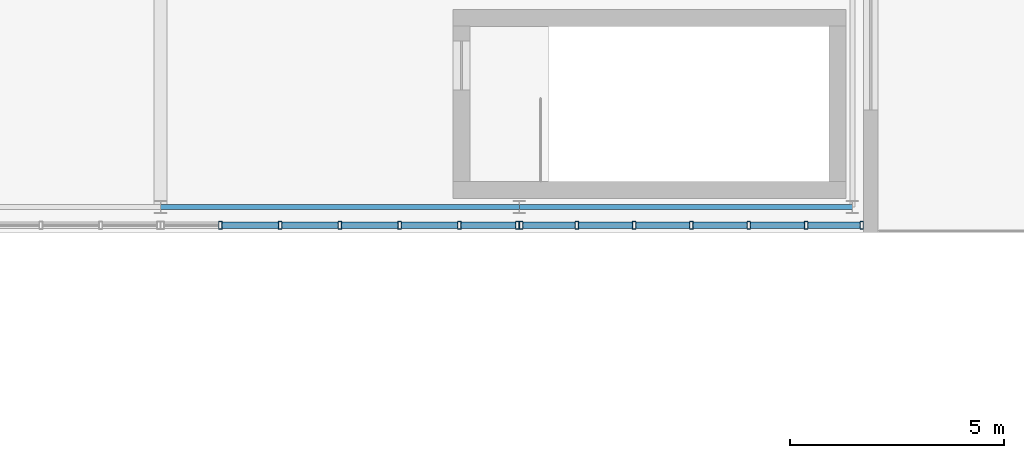
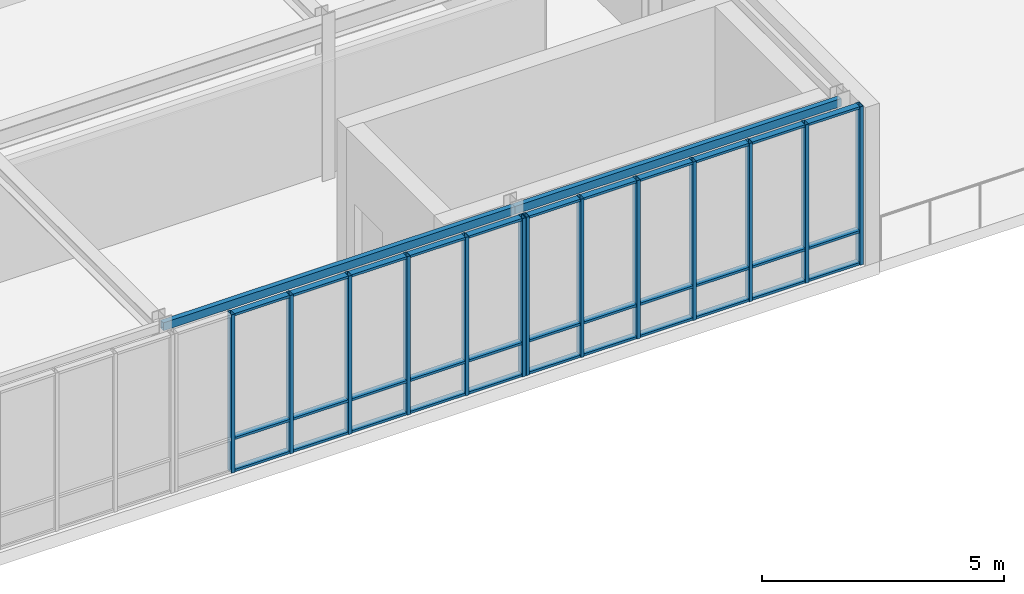
# One storey, part 82 of 127: 46 members, 2 beams, 2 elements without a shape of their own.
"""IFC4 building model written with IfcOpenShell, lengths in metres."""

from ifc_helpers import new_model, si_unit, direction, frame, origin, origin_2d, place, context, subcontext, project, spatial, hollow_rectangle, extrude, material, layer, layer_set, material_profile, profile_set, type_object, element, aggregate, save


model = new_model("IFC4")

# Units and contexts
model_context = context("Model", 3, precision=1e-05, world=origin(), true_north=direction((0.0, 1.0)))
body_context = subcontext(model_context, "Body", "Model", "MODEL_VIEW")
ifc_project = project(units=[si_unit("LENGTHUNIT", "METRE"), si_unit("AREAUNIT", "SQUARE_METRE"), si_unit("VOLUMEUNIT", "CUBIC_METRE"), si_unit("PLANEANGLEUNIT", "RADIAN"), si_unit("MASSUNIT", "GRAM", prefix="KILO")], contexts=[model_context])

# Site, building, storey
site_placement = place(None, origin())
site = spatial("IfcSite", under=ifc_project, at=site_placement, CompositionType="ELEMENT")
building_placement = place(site_placement, origin())
building = spatial("IfcBuilding", under=site, at=building_placement, Name="Zayran Congress Hotel", CompositionType="ELEMENT")
storey_placement = place(building_placement, frame((0.0, 0.0, 10.800048828125)))
storey = spatial("IfcBuildingStorey", under=building, at=storey_placement, Name="L02", CompositionType="ELEMENT", Elevation=10.800048828125)

# Beams
ifc_material_1 = material(Name="Steel S355", Category="steel")
ifc_material_profile_1 = material_profile(ifc_material_1, hollow_rectangle(XDim=0.1201171875, YDim=0.199951171875, WallThickness=0.008056640625, at=origin_2d()), Name="RHS 200x120x8")
ifc_profile_set_1 = profile_set([ifc_material_profile_1], Name="Steel S355")
beam_type = type_object("IfcBeamType", Name="TP-SP-02", PredefinedType="SPANDREL", material=ifc_profile_set_1)
beam_1_placement = place(storey_placement, frame((168.0, 85.0, 3.89990234375), z_axis=(1.0, 0.0, 0.0), x_axis=(0.0, 1.0, 0.0)))
element("IfcBeam", 1, at=beam_1_placement, inside=storey, type_object=beam_type, Name="BM-V2-L02-1012", PredefinedType="SPANDREL", context=body_context, shape_type="SweptSolid", body=[
    extrude(hollow_rectangle(XDim=0.1201171875, YDim=0.199951171875, WallThickness=0.008056640625, at=origin_2d()), origin(), (0.0, 0.0, 1.0), 8.39990234375),
])
beam_2_placement = place(storey_placement, frame((176.39990234375, 85.0, 3.89990234375), z_axis=(1.0, 0.0, 0.0), x_axis=(0.0, 1.0, 0.0)))
element("IfcBeam", 2, at=beam_2_placement, inside=storey, type_object=beam_type, Name="BM-V2-L02-1013", PredefinedType="SPANDREL", context=body_context, shape_type="SweptSolid", body=[
    extrude(hollow_rectangle(XDim=0.1201171875, YDim=0.199951171875, WallThickness=0.008056640625, at=origin_2d()), origin(), (0.0, 0.0, 1.0), 7.800048828125),
])

# Curtain wall, members
ifc_material_2 = material(Name="Anodised aluminium and low-E insulated glass", Category="aluminium")
ifc_layer_1 = layer(ifc_material_2, 0.179931640625)
ifc_layer_set_1 = layer_set([ifc_layer_1], Name="Anodised aluminium and low-E insulated glass")
curtain_wall_type_1 = type_object("IfcCurtainWallType", Name="CW-V2S-L02-CW-V22-8390-4000", PredefinedType="USERDEFINED", material=ifc_layer_set_1)
curtain_wall_1_placement = place(storey_placement, origin())
curtain_wall_1 = element("IfcCurtainWall", 3, at=curtain_wall_1_placement, inside=storey, type_object=curtain_wall_type_1, Name="CW-V2S-L02-3", ObjectType="CURTAIN WALL", PredefinedType="USERDEFINED")
ifc_material_3 = material(Name="Anodised aluminium framing", Category="aluminium")
ifc_material_profile_2 = material_profile(ifc_material_3, hollow_rectangle(XDim=0.080078125, YDim=0.179931640625, WallThickness=0.0048828125, at=origin_2d()), Name="RHS 180x80x5")
ifc_profile_set_2 = profile_set([ifc_material_profile_2], Name="Anodised aluminium framing")
member_type_1 = type_object("IfcMemberType", Name="TP-CWM-01", PredefinedType="MULLION", material=ifc_profile_set_2)
member_1_placement = place(storey_placement, frame((169.4033203125, 84.570068359375, 0.0), z_axis=(0.0, 0.0, 1.0), x_axis=(1.0, 0.0, 0.0)))
member_1 = element("IfcMember", 4, at=member_1_placement, type_object=member_type_1, Name="CW-V2S-L02-3-M01", PredefinedType="MULLION", context=body_context, shape_type="SweptSolid", body=[
    extrude(hollow_rectangle(XDim=0.080078125, YDim=0.179931640625, WallThickness=0.0048828125, at=origin_2d()), origin(), (0.0, 0.0, 1.0), 4.0),
])
member_2_placement = place(storey_placement, frame((170.8017578125, 84.570068359375, 0.0), z_axis=(0.0, 0.0, 1.0), x_axis=(1.0, 0.0, 0.0)))
member_2 = element("IfcMember", 5, at=member_2_placement, type_object=member_type_1, Name="CW-V2S-L02-3-M02", PredefinedType="MULLION", context=body_context, shape_type="SweptSolid", body=[
    extrude(hollow_rectangle(XDim=0.080078125, YDim=0.179931640625, WallThickness=0.0048828125, at=origin_2d()), origin(), (0.0, 0.0, 1.0), 4.0),
])
member_3_placement = place(storey_placement, frame((172.199951171875, 84.570068359375, 0.0), z_axis=(0.0, 0.0, 1.0), x_axis=(1.0, 0.0, 0.0)))
member_3 = element("IfcMember", 6, at=member_3_placement, type_object=member_type_1, Name="CW-V2S-L02-3-M03", PredefinedType="MULLION", context=body_context, shape_type="SweptSolid", body=[
    extrude(hollow_rectangle(XDim=0.080078125, YDim=0.179931640625, WallThickness=0.0048828125, at=origin_2d()), origin(), (0.0, 0.0, 1.0), 4.0),
])
member_4_placement = place(storey_placement, frame((173.598388671875, 84.570068359375, 0.0), z_axis=(0.0, 0.0, 1.0), x_axis=(1.0, 0.0, 0.0)))
member_4 = element("IfcMember", 7, at=member_4_placement, type_object=member_type_1, Name="CW-V2S-L02-3-M04", PredefinedType="MULLION", context=body_context, shape_type="SweptSolid", body=[
    extrude(hollow_rectangle(XDim=0.080078125, YDim=0.179931640625, WallThickness=0.0048828125, at=origin_2d()), origin(), (0.0, 0.0, 1.0), 4.0),
])
member_5_placement = place(storey_placement, frame((174.99658203125, 84.570068359375, 0.0), z_axis=(0.0, 0.0, 1.0), x_axis=(1.0, 0.0, 0.0)))
member_5 = element("IfcMember", 8, at=member_5_placement, type_object=member_type_1, Name="CW-V2S-L02-3-M05", PredefinedType="MULLION", context=body_context, shape_type="SweptSolid", body=[
    extrude(hollow_rectangle(XDim=0.080078125, YDim=0.179931640625, WallThickness=0.0048828125, at=origin_2d()), origin(), (0.0, 0.0, 1.0), 4.0),
])
member_6_placement = place(storey_placement, frame((176.35498046875, 84.570068359375, 0.0), z_axis=(0.0, 0.0, 1.0), x_axis=(1.0, 0.0, 0.0)))
member_6 = element("IfcMember", 9, at=member_6_placement, type_object=member_type_1, Name="CW-V2S-L02-3-M06", PredefinedType="MULLION", context=body_context, shape_type="SweptSolid", body=[
    extrude(hollow_rectangle(XDim=0.080078125, YDim=0.179931640625, WallThickness=0.0048828125, at=origin_2d()), origin(), (0.0, 0.0, 1.0), 4.0),
])

ifc_layer_2 = layer(ifc_material_2, 0.179931640625)
ifc_layer_set_2 = layer_set([ifc_layer_2], Name="Anodised aluminium and low-E insulated glass")
curtain_wall_type_2 = type_object("IfcCurtainWallType", Name="CW-V2S-L02-CW-V21-8055-4000", PredefinedType="USERDEFINED", material=ifc_layer_set_2)
curtain_wall_2_placement = place(storey_placement, origin())
curtain_wall_2 = element("IfcCurtainWall", 10, at=curtain_wall_2_placement, inside=storey, type_object=curtain_wall_type_2, Name="CW-V2S-L02-4", ObjectType="CURTAIN WALL", PredefinedType="USERDEFINED")
member_7_placement = place(storey_placement, frame((176.445068359375, 84.570068359375, 0.0), z_axis=(0.0, 0.0, 1.0), x_axis=(1.0, 0.0, 0.0)))
member_7 = element("IfcMember", 11, at=member_7_placement, type_object=member_type_1, Name="CW-V2S-L02-4-M00", PredefinedType="MULLION", context=body_context, shape_type="SweptSolid", body=[
    extrude(hollow_rectangle(XDim=0.080078125, YDim=0.179931640625, WallThickness=0.0048828125, at=origin_2d()), origin(), (0.0, 0.0, 1.0), 4.0),
])
member_8_placement = place(storey_placement, frame((177.74755859375, 84.570068359375, 0.0), z_axis=(0.0, 0.0, 1.0), x_axis=(1.0, 0.0, 0.0)))
member_8 = element("IfcMember", 12, at=member_8_placement, type_object=member_type_1, Name="CW-V2S-L02-4-M01", PredefinedType="MULLION", context=body_context, shape_type="SweptSolid", body=[
    extrude(hollow_rectangle(XDim=0.080078125, YDim=0.179931640625, WallThickness=0.0048828125, at=origin_2d()), origin(), (0.0, 0.0, 1.0), 4.0),
])
member_9_placement = place(storey_placement, frame((179.090087890625, 84.570068359375, 0.0), z_axis=(0.0, 0.0, 1.0), x_axis=(1.0, 0.0, 0.0)))
member_9 = element("IfcMember", 13, at=member_9_placement, type_object=member_type_1, Name="CW-V2S-L02-4-M02", PredefinedType="MULLION", context=body_context, shape_type="SweptSolid", body=[
    extrude(hollow_rectangle(XDim=0.080078125, YDim=0.179931640625, WallThickness=0.0048828125, at=origin_2d()), origin(), (0.0, 0.0, 1.0), 4.0),
])
member_10_placement = place(storey_placement, frame((180.4326171875, 84.570068359375, 0.0), z_axis=(0.0, 0.0, 1.0), x_axis=(1.0, 0.0, 0.0)))
member_10 = element("IfcMember", 14, at=member_10_placement, type_object=member_type_1, Name="CW-V2S-L02-4-M03", PredefinedType="MULLION", context=body_context, shape_type="SweptSolid", body=[
    extrude(hollow_rectangle(XDim=0.080078125, YDim=0.179931640625, WallThickness=0.0048828125, at=origin_2d()), origin(), (0.0, 0.0, 1.0), 4.0),
])
member_11_placement = place(storey_placement, frame((181.77490234375, 84.570068359375, 0.0), z_axis=(0.0, 0.0, 1.0), x_axis=(1.0, 0.0, 0.0)))
member_11 = element("IfcMember", 15, at=member_11_placement, type_object=member_type_1, Name="CW-V2S-L02-4-M04", PredefinedType="MULLION", context=body_context, shape_type="SweptSolid", body=[
    extrude(hollow_rectangle(XDim=0.080078125, YDim=0.179931640625, WallThickness=0.0048828125, at=origin_2d()), origin(), (0.0, 0.0, 1.0), 4.0),
])
member_12_placement = place(storey_placement, frame((183.117431640625, 84.570068359375, 0.0), z_axis=(0.0, 0.0, 1.0), x_axis=(1.0, 0.0, 0.0)))
member_12 = element("IfcMember", 16, at=member_12_placement, type_object=member_type_1, Name="CW-V2S-L02-4-M05", PredefinedType="MULLION", context=body_context, shape_type="SweptSolid", body=[
    extrude(hollow_rectangle(XDim=0.080078125, YDim=0.179931640625, WallThickness=0.0048828125, at=origin_2d()), origin(), (0.0, 0.0, 1.0), 4.0),
])
member_13_placement = place(storey_placement, frame((184.419921875, 84.570068359375, 0.0), z_axis=(0.0, 0.0, 1.0), x_axis=(1.0, 0.0, 0.0)))
member_13 = element("IfcMember", 17, at=member_13_placement, type_object=member_type_1, Name="CW-V2S-L02-4-M06", PredefinedType="MULLION", context=body_context, shape_type="SweptSolid", body=[
    extrude(hollow_rectangle(XDim=0.080078125, YDim=0.179931640625, WallThickness=0.0048828125, at=origin_2d()), origin(), (0.0, 0.0, 1.0), 4.0),
])

# Member
ifc_material_profile_3 = material_profile(ifc_material_3, hollow_rectangle(XDim=0.06005859375, YDim=0.14990234375, WallThickness=0.00390625, at=origin_2d()), Name="RHS 150x60x4")
ifc_profile_set_3 = profile_set([ifc_material_profile_3], Name="Anodised aluminium framing")
member_type_2 = type_object("IfcMemberType", Name="TP-CWT-01", PredefinedType="USERDEFINED", material=ifc_profile_set_3)
member_14_placement = place(storey_placement, frame((169.443359375, 84.570068359375, 0.030029296875), z_axis=(1.0, 0.0, 0.0), x_axis=(0.0, 0.0, 1.0)))
member_14 = element("IfcMember", 18, at=member_14_placement, type_object=member_type_2, Name="CW-V2S-L02-3-T01-0", ObjectType="TRANSOM", PredefinedType="USERDEFINED", context=body_context, shape_type="SweptSolid", body=[
    extrude(hollow_rectangle(XDim=0.06005859375, YDim=0.14990234375, WallThickness=0.00390625, at=origin_2d()), origin(), (0.0, 0.0, 1.0), 1.318359375),
])

member_15_placement = place(storey_placement, frame((169.443359375, 84.570068359375, 0.83984375), z_axis=(1.0, 0.0, 0.0), x_axis=(0.0, 0.0, 1.0)))
member_15 = element("IfcMember", 19, at=member_15_placement, type_object=member_type_2, Name="CW-V2S-L02-3-T01-1", ObjectType="TRANSOM", PredefinedType="USERDEFINED", context=body_context, shape_type="SweptSolid", body=[
    extrude(hollow_rectangle(XDim=0.06005859375, YDim=0.14990234375, WallThickness=0.00390625, at=origin_2d()), origin(), (0.0, 0.0, 1.0), 1.318359375),
])

member_16_placement = place(storey_placement, frame((169.443359375, 84.570068359375, 3.969970703125), z_axis=(1.0, 0.0, 0.0), x_axis=(0.0, 0.0, 1.0)))
member_16 = element("IfcMember", 20, at=member_16_placement, type_object=member_type_2, Name="CW-V2S-L02-3-T01-2", ObjectType="TRANSOM", PredefinedType="USERDEFINED", context=body_context, shape_type="SweptSolid", body=[
    extrude(hollow_rectangle(XDim=0.06005859375, YDim=0.14990234375, WallThickness=0.00390625, at=origin_2d()), origin(), (0.0, 0.0, 1.0), 1.318359375),
])

member_17_placement = place(storey_placement, frame((170.841796875, 84.570068359375, 0.030029296875), z_axis=(1.0, 0.0, 0.0), x_axis=(0.0, 0.0, 1.0)))
member_17 = element("IfcMember", 21, at=member_17_placement, type_object=member_type_2, Name="CW-V2S-L02-3-T02-0", ObjectType="TRANSOM", PredefinedType="USERDEFINED", context=body_context, shape_type="SweptSolid", body=[
    extrude(hollow_rectangle(XDim=0.06005859375, YDim=0.14990234375, WallThickness=0.00390625, at=origin_2d()), origin(), (0.0, 0.0, 1.0), 1.318115234375),
])

member_18_placement = place(storey_placement, frame((170.841796875, 84.570068359375, 0.83984375), z_axis=(1.0, 0.0, 0.0), x_axis=(0.0, 0.0, 1.0)))
member_18 = element("IfcMember", 22, at=member_18_placement, type_object=member_type_2, Name="CW-V2S-L02-3-T02-1", ObjectType="TRANSOM", PredefinedType="USERDEFINED", context=body_context, shape_type="SweptSolid", body=[
    extrude(hollow_rectangle(XDim=0.06005859375, YDim=0.14990234375, WallThickness=0.00390625, at=origin_2d()), origin(), (0.0, 0.0, 1.0), 1.318115234375),
])

member_19_placement = place(storey_placement, frame((170.841796875, 84.570068359375, 3.969970703125), z_axis=(1.0, 0.0, 0.0), x_axis=(0.0, 0.0, 1.0)))
member_19 = element("IfcMember", 23, at=member_19_placement, type_object=member_type_2, Name="CW-V2S-L02-3-T02-2", ObjectType="TRANSOM", PredefinedType="USERDEFINED", context=body_context, shape_type="SweptSolid", body=[
    extrude(hollow_rectangle(XDim=0.06005859375, YDim=0.14990234375, WallThickness=0.00390625, at=origin_2d()), origin(), (0.0, 0.0, 1.0), 1.318115234375),
])

member_20_placement = place(storey_placement, frame((172.239990234375, 84.570068359375, 0.030029296875), z_axis=(1.0, 0.0, 0.0), x_axis=(0.0, 0.0, 1.0)))
member_20 = element("IfcMember", 24, at=member_20_placement, type_object=member_type_2, Name="CW-V2S-L02-3-T03-0", ObjectType="TRANSOM", PredefinedType="USERDEFINED", context=body_context, shape_type="SweptSolid", body=[
    extrude(hollow_rectangle(XDim=0.06005859375, YDim=0.14990234375, WallThickness=0.00390625, at=origin_2d()), origin(), (0.0, 0.0, 1.0), 1.318359375),
])

member_21_placement = place(storey_placement, frame((172.239990234375, 84.570068359375, 0.83984375), z_axis=(1.0, 0.0, 0.0), x_axis=(0.0, 0.0, 1.0)))
member_21 = element("IfcMember", 25, at=member_21_placement, type_object=member_type_2, Name="CW-V2S-L02-3-T03-1", ObjectType="TRANSOM", PredefinedType="USERDEFINED", context=body_context, shape_type="SweptSolid", body=[
    extrude(hollow_rectangle(XDim=0.06005859375, YDim=0.14990234375, WallThickness=0.00390625, at=origin_2d()), origin(), (0.0, 0.0, 1.0), 1.318359375),
])

member_22_placement = place(storey_placement, frame((172.239990234375, 84.570068359375, 3.969970703125), z_axis=(1.0, 0.0, 0.0), x_axis=(0.0, 0.0, 1.0)))
member_22 = element("IfcMember", 26, at=member_22_placement, type_object=member_type_2, Name="CW-V2S-L02-3-T03-2", ObjectType="TRANSOM", PredefinedType="USERDEFINED", context=body_context, shape_type="SweptSolid", body=[
    extrude(hollow_rectangle(XDim=0.06005859375, YDim=0.14990234375, WallThickness=0.00390625, at=origin_2d()), origin(), (0.0, 0.0, 1.0), 1.318359375),
])

member_23_placement = place(storey_placement, frame((173.63818359375, 84.570068359375, 0.030029296875), z_axis=(1.0, 0.0, 0.0), x_axis=(0.0, 0.0, 1.0)))
member_23 = element("IfcMember", 27, at=member_23_placement, type_object=member_type_2, Name="CW-V2S-L02-3-T04-0", ObjectType="TRANSOM", PredefinedType="USERDEFINED", context=body_context, shape_type="SweptSolid", body=[
    extrude(hollow_rectangle(XDim=0.06005859375, YDim=0.14990234375, WallThickness=0.00390625, at=origin_2d()), origin(), (0.0, 0.0, 1.0), 1.318603515625),
])

member_24_placement = place(storey_placement, frame((173.63818359375, 84.570068359375, 0.83984375), z_axis=(1.0, 0.0, 0.0), x_axis=(0.0, 0.0, 1.0)))
member_24 = element("IfcMember", 28, at=member_24_placement, type_object=member_type_2, Name="CW-V2S-L02-3-T04-1", ObjectType="TRANSOM", PredefinedType="USERDEFINED", context=body_context, shape_type="SweptSolid", body=[
    extrude(hollow_rectangle(XDim=0.06005859375, YDim=0.14990234375, WallThickness=0.00390625, at=origin_2d()), origin(), (0.0, 0.0, 1.0), 1.318603515625),
])

member_25_placement = place(storey_placement, frame((173.63818359375, 84.570068359375, 3.969970703125), z_axis=(1.0, 0.0, 0.0), x_axis=(0.0, 0.0, 1.0)))
member_25 = element("IfcMember", 29, at=member_25_placement, type_object=member_type_2, Name="CW-V2S-L02-3-T04-2", ObjectType="TRANSOM", PredefinedType="USERDEFINED", context=body_context, shape_type="SweptSolid", body=[
    extrude(hollow_rectangle(XDim=0.06005859375, YDim=0.14990234375, WallThickness=0.00390625, at=origin_2d()), origin(), (0.0, 0.0, 1.0), 1.318603515625),
])

member_26_placement = place(storey_placement, frame((175.03662109375, 84.570068359375, 0.030029296875), z_axis=(1.0, 0.0, 0.0), x_axis=(0.0, 0.0, 1.0)))
member_26 = element("IfcMember", 30, at=member_26_placement, type_object=member_type_2, Name="CW-V2S-L02-3-T05-0", ObjectType="TRANSOM", PredefinedType="USERDEFINED", context=body_context, shape_type="SweptSolid", body=[
    extrude(hollow_rectangle(XDim=0.06005859375, YDim=0.14990234375, WallThickness=0.00390625, at=origin_2d()), origin(), (0.0, 0.0, 1.0), 1.2783203125),
])

member_27_placement = place(storey_placement, frame((175.03662109375, 84.570068359375, 0.83984375), z_axis=(1.0, 0.0, 0.0), x_axis=(0.0, 0.0, 1.0)))
member_27 = element("IfcMember", 31, at=member_27_placement, type_object=member_type_2, Name="CW-V2S-L02-3-T05-1", ObjectType="TRANSOM", PredefinedType="USERDEFINED", context=body_context, shape_type="SweptSolid", body=[
    extrude(hollow_rectangle(XDim=0.06005859375, YDim=0.14990234375, WallThickness=0.00390625, at=origin_2d()), origin(), (0.0, 0.0, 1.0), 1.2783203125),
])

member_28_placement = place(storey_placement, frame((175.03662109375, 84.570068359375, 3.969970703125), z_axis=(1.0, 0.0, 0.0), x_axis=(0.0, 0.0, 1.0)))
member_28 = element("IfcMember", 32, at=member_28_placement, type_object=member_type_2, Name="CW-V2S-L02-3-T05-2", ObjectType="TRANSOM", PredefinedType="USERDEFINED", context=body_context, shape_type="SweptSolid", body=[
    extrude(hollow_rectangle(XDim=0.06005859375, YDim=0.14990234375, WallThickness=0.00390625, at=origin_2d()), origin(), (0.0, 0.0, 1.0), 1.2783203125),
])

aggregate(curtain_wall_1, [member_1, member_2, member_3, member_4, member_5, member_6, member_14, member_15, member_16, member_17, member_18, member_19, member_20, member_21, member_22, member_23, member_24, member_25, member_26, member_27, member_28])

member_29_placement = place(storey_placement, frame((176.485107421875, 84.570068359375, 0.030029296875), z_axis=(1.0, 0.0, 0.0), x_axis=(0.0, 0.0, 1.0)))
member_29 = element("IfcMember", 33, at=member_29_placement, type_object=member_type_2, Name="CW-V2S-L02-4-T00-0", ObjectType="TRANSOM", PredefinedType="USERDEFINED", context=body_context, shape_type="SweptSolid", body=[
    extrude(hollow_rectangle(XDim=0.06005859375, YDim=0.14990234375, WallThickness=0.00390625, at=origin_2d()), origin(), (0.0, 0.0, 1.0), 1.222412109375),
])

member_30_placement = place(storey_placement, frame((176.485107421875, 84.570068359375, 0.83984375), z_axis=(1.0, 0.0, 0.0), x_axis=(0.0, 0.0, 1.0)))
member_30 = element("IfcMember", 34, at=member_30_placement, type_object=member_type_2, Name="CW-V2S-L02-4-T00-1", ObjectType="TRANSOM", PredefinedType="USERDEFINED", context=body_context, shape_type="SweptSolid", body=[
    extrude(hollow_rectangle(XDim=0.06005859375, YDim=0.14990234375, WallThickness=0.00390625, at=origin_2d()), origin(), (0.0, 0.0, 1.0), 1.222412109375),
])

member_31_placement = place(storey_placement, frame((176.485107421875, 84.570068359375, 3.969970703125), z_axis=(1.0, 0.0, 0.0), x_axis=(0.0, 0.0, 1.0)))
member_31 = element("IfcMember", 35, at=member_31_placement, type_object=member_type_2, Name="CW-V2S-L02-4-T00-2", ObjectType="TRANSOM", PredefinedType="USERDEFINED", context=body_context, shape_type="SweptSolid", body=[
    extrude(hollow_rectangle(XDim=0.06005859375, YDim=0.14990234375, WallThickness=0.00390625, at=origin_2d()), origin(), (0.0, 0.0, 1.0), 1.222412109375),
])

member_32_placement = place(storey_placement, frame((177.78759765625, 84.570068359375, 0.030029296875), z_axis=(1.0, 0.0, 0.0), x_axis=(0.0, 0.0, 1.0)))
member_32 = element("IfcMember", 36, at=member_32_placement, type_object=member_type_2, Name="CW-V2S-L02-4-T01-0", ObjectType="TRANSOM", PredefinedType="USERDEFINED", context=body_context, shape_type="SweptSolid", body=[
    extrude(hollow_rectangle(XDim=0.06005859375, YDim=0.14990234375, WallThickness=0.00390625, at=origin_2d()), origin(), (0.0, 0.0, 1.0), 1.262451171875),
])

member_33_placement = place(storey_placement, frame((177.78759765625, 84.570068359375, 0.83984375), z_axis=(1.0, 0.0, 0.0), x_axis=(0.0, 0.0, 1.0)))
member_33 = element("IfcMember", 37, at=member_33_placement, type_object=member_type_2, Name="CW-V2S-L02-4-T01-1", ObjectType="TRANSOM", PredefinedType="USERDEFINED", context=body_context, shape_type="SweptSolid", body=[
    extrude(hollow_rectangle(XDim=0.06005859375, YDim=0.14990234375, WallThickness=0.00390625, at=origin_2d()), origin(), (0.0, 0.0, 1.0), 1.262451171875),
])

member_34_placement = place(storey_placement, frame((177.78759765625, 84.570068359375, 3.969970703125), z_axis=(1.0, 0.0, 0.0), x_axis=(0.0, 0.0, 1.0)))
member_34 = element("IfcMember", 38, at=member_34_placement, type_object=member_type_2, Name="CW-V2S-L02-4-T01-2", ObjectType="TRANSOM", PredefinedType="USERDEFINED", context=body_context, shape_type="SweptSolid", body=[
    extrude(hollow_rectangle(XDim=0.06005859375, YDim=0.14990234375, WallThickness=0.00390625, at=origin_2d()), origin(), (0.0, 0.0, 1.0), 1.262451171875),
])

member_35_placement = place(storey_placement, frame((179.1298828125, 84.570068359375, 0.030029296875), z_axis=(1.0, 0.0, 0.0), x_axis=(0.0, 0.0, 1.0)))
member_35 = element("IfcMember", 39, at=member_35_placement, type_object=member_type_2, Name="CW-V2S-L02-4-T02-0", ObjectType="TRANSOM", PredefinedType="USERDEFINED", context=body_context, shape_type="SweptSolid", body=[
    extrude(hollow_rectangle(XDim=0.06005859375, YDim=0.14990234375, WallThickness=0.00390625, at=origin_2d()), origin(), (0.0, 0.0, 1.0), 1.2626953125),
])

member_36_placement = place(storey_placement, frame((179.1298828125, 84.570068359375, 0.83984375), z_axis=(1.0, 0.0, 0.0), x_axis=(0.0, 0.0, 1.0)))
member_36 = element("IfcMember", 40, at=member_36_placement, type_object=member_type_2, Name="CW-V2S-L02-4-T02-1", ObjectType="TRANSOM", PredefinedType="USERDEFINED", context=body_context, shape_type="SweptSolid", body=[
    extrude(hollow_rectangle(XDim=0.06005859375, YDim=0.14990234375, WallThickness=0.00390625, at=origin_2d()), origin(), (0.0, 0.0, 1.0), 1.2626953125),
])

member_37_placement = place(storey_placement, frame((179.1298828125, 84.570068359375, 3.969970703125), z_axis=(1.0, 0.0, 0.0), x_axis=(0.0, 0.0, 1.0)))
member_37 = element("IfcMember", 41, at=member_37_placement, type_object=member_type_2, Name="CW-V2S-L02-4-T02-2", ObjectType="TRANSOM", PredefinedType="USERDEFINED", context=body_context, shape_type="SweptSolid", body=[
    extrude(hollow_rectangle(XDim=0.06005859375, YDim=0.14990234375, WallThickness=0.00390625, at=origin_2d()), origin(), (0.0, 0.0, 1.0), 1.2626953125),
])

member_38_placement = place(storey_placement, frame((180.472412109375, 84.570068359375, 0.030029296875), z_axis=(1.0, 0.0, 0.0), x_axis=(0.0, 0.0, 1.0)))
member_38 = element("IfcMember", 42, at=member_38_placement, type_object=member_type_2, Name="CW-V2S-L02-4-T03-0", ObjectType="TRANSOM", PredefinedType="USERDEFINED", context=body_context, shape_type="SweptSolid", body=[
    extrude(hollow_rectangle(XDim=0.06005859375, YDim=0.14990234375, WallThickness=0.00390625, at=origin_2d()), origin(), (0.0, 0.0, 1.0), 1.2626953125),
])

member_39_placement = place(storey_placement, frame((180.472412109375, 84.570068359375, 0.83984375), z_axis=(1.0, 0.0, 0.0), x_axis=(0.0, 0.0, 1.0)))
member_39 = element("IfcMember", 43, at=member_39_placement, type_object=member_type_2, Name="CW-V2S-L02-4-T03-1", ObjectType="TRANSOM", PredefinedType="USERDEFINED", context=body_context, shape_type="SweptSolid", body=[
    extrude(hollow_rectangle(XDim=0.06005859375, YDim=0.14990234375, WallThickness=0.00390625, at=origin_2d()), origin(), (0.0, 0.0, 1.0), 1.2626953125),
])

member_40_placement = place(storey_placement, frame((180.472412109375, 84.570068359375, 3.969970703125), z_axis=(1.0, 0.0, 0.0), x_axis=(0.0, 0.0, 1.0)))
member_40 = element("IfcMember", 44, at=member_40_placement, type_object=member_type_2, Name="CW-V2S-L02-4-T03-2", ObjectType="TRANSOM", PredefinedType="USERDEFINED", context=body_context, shape_type="SweptSolid", body=[
    extrude(hollow_rectangle(XDim=0.06005859375, YDim=0.14990234375, WallThickness=0.00390625, at=origin_2d()), origin(), (0.0, 0.0, 1.0), 1.2626953125),
])

member_41_placement = place(storey_placement, frame((181.81494140625, 84.570068359375, 0.030029296875), z_axis=(1.0, 0.0, 0.0), x_axis=(0.0, 0.0, 1.0)))
member_41 = element("IfcMember", 45, at=member_41_placement, type_object=member_type_2, Name="CW-V2S-L02-4-T04-0", ObjectType="TRANSOM", PredefinedType="USERDEFINED", context=body_context, shape_type="SweptSolid", body=[
    extrude(hollow_rectangle(XDim=0.06005859375, YDim=0.14990234375, WallThickness=0.00390625, at=origin_2d()), origin(), (0.0, 0.0, 1.0), 1.262451171875),
])

member_42_placement = place(storey_placement, frame((181.81494140625, 84.570068359375, 0.83984375), z_axis=(1.0, 0.0, 0.0), x_axis=(0.0, 0.0, 1.0)))
member_42 = element("IfcMember", 46, at=member_42_placement, type_object=member_type_2, Name="CW-V2S-L02-4-T04-1", ObjectType="TRANSOM", PredefinedType="USERDEFINED", context=body_context, shape_type="SweptSolid", body=[
    extrude(hollow_rectangle(XDim=0.06005859375, YDim=0.14990234375, WallThickness=0.00390625, at=origin_2d()), origin(), (0.0, 0.0, 1.0), 1.262451171875),
])

member_43_placement = place(storey_placement, frame((181.81494140625, 84.570068359375, 3.969970703125), z_axis=(1.0, 0.0, 0.0), x_axis=(0.0, 0.0, 1.0)))
member_43 = element("IfcMember", 47, at=member_43_placement, type_object=member_type_2, Name="CW-V2S-L02-4-T04-2", ObjectType="TRANSOM", PredefinedType="USERDEFINED", context=body_context, shape_type="SweptSolid", body=[
    extrude(hollow_rectangle(XDim=0.06005859375, YDim=0.14990234375, WallThickness=0.00390625, at=origin_2d()), origin(), (0.0, 0.0, 1.0), 1.262451171875),
])

member_44_placement = place(storey_placement, frame((183.157470703125, 84.570068359375, 0.030029296875), z_axis=(1.0, 0.0, 0.0), x_axis=(0.0, 0.0, 1.0)))
member_44 = element("IfcMember", 48, at=member_44_placement, type_object=member_type_2, Name="CW-V2S-L02-4-T05-0", ObjectType="TRANSOM", PredefinedType="USERDEFINED", context=body_context, shape_type="SweptSolid", body=[
    extrude(hollow_rectangle(XDim=0.06005859375, YDim=0.14990234375, WallThickness=0.00390625, at=origin_2d()), origin(), (0.0, 0.0, 1.0), 1.222412109375),
])

member_45_placement = place(storey_placement, frame((183.157470703125, 84.570068359375, 0.83984375), z_axis=(1.0, 0.0, 0.0), x_axis=(0.0, 0.0, 1.0)))
member_45 = element("IfcMember", 49, at=member_45_placement, type_object=member_type_2, Name="CW-V2S-L02-4-T05-1", ObjectType="TRANSOM", PredefinedType="USERDEFINED", context=body_context, shape_type="SweptSolid", body=[
    extrude(hollow_rectangle(XDim=0.06005859375, YDim=0.14990234375, WallThickness=0.00390625, at=origin_2d()), origin(), (0.0, 0.0, 1.0), 1.222412109375),
])

member_46_placement = place(storey_placement, frame((183.157470703125, 84.570068359375, 3.969970703125), z_axis=(1.0, 0.0, 0.0), x_axis=(0.0, 0.0, 1.0)))
member_46 = element("IfcMember", 50, at=member_46_placement, type_object=member_type_2, Name="CW-V2S-L02-4-T05-2", ObjectType="TRANSOM", PredefinedType="USERDEFINED", context=body_context, shape_type="SweptSolid", body=[
    extrude(hollow_rectangle(XDim=0.06005859375, YDim=0.14990234375, WallThickness=0.00390625, at=origin_2d()), origin(), (0.0, 0.0, 1.0), 1.222412109375),
])

aggregate(curtain_wall_2, [member_7, member_8, member_9, member_10, member_11, member_12, member_13, member_29, member_30, member_31, member_32, member_33, member_34, member_35, member_36, member_37, member_38, member_39, member_40, member_41, member_42, member_43, member_44, member_45, member_46])

save(model, "model.ifc")
